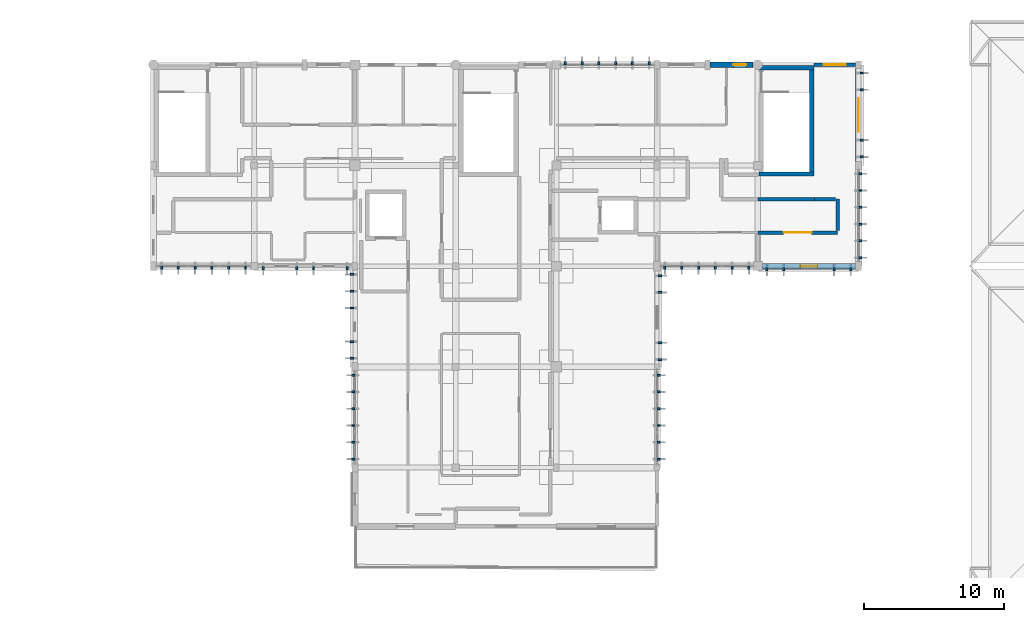
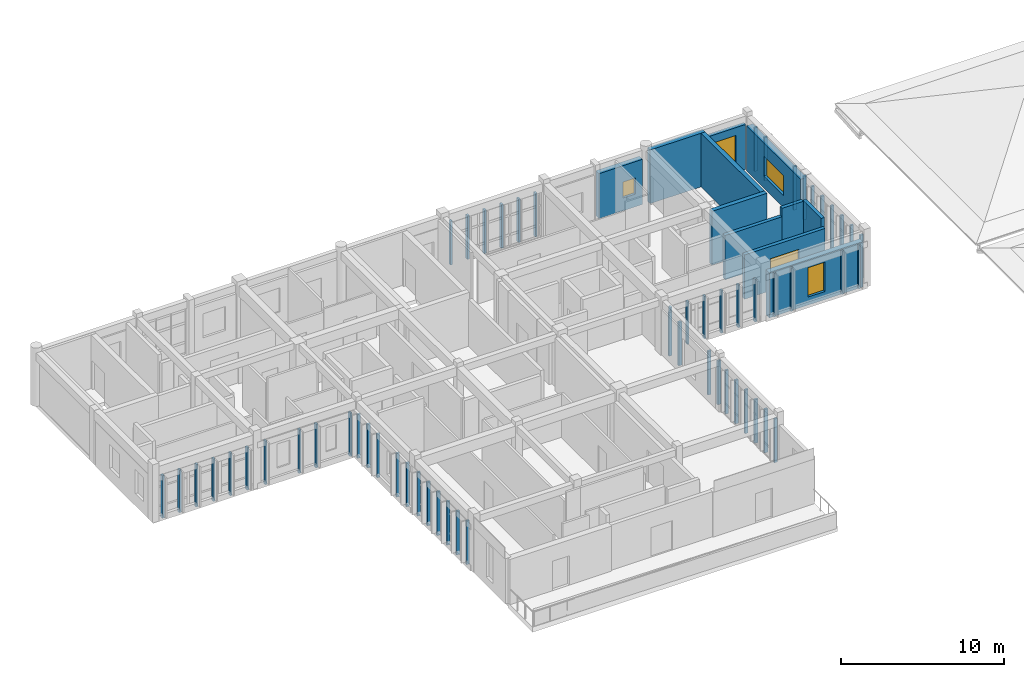
# One storey, part 17 of 19: 57 discrete accessories, 11 walls, 4 windows, 1 door, 5 openings.
"""IFC4 building model written with IfcOpenShell, lengths in metres."""

from ifc_helpers import new_model, si_unit, direction, frame, frame_2d, origin, origin_2d, place, context, subcontext, project, spatial, rectangle, extrude, material, layer, layer_set, type_object, element, fill, save


model = new_model("IFC4")

# Units and contexts
model_context = context("Model", 3, precision=1e-05, world=origin(), true_north=direction((0.0, 1.0)))
body_context = subcontext(model_context, "Body", "Model", "MODEL_VIEW")
ifc_project = project(units=[si_unit("LENGTHUNIT", "METRE"), si_unit("AREAUNIT", "SQUARE_METRE"), si_unit("VOLUMEUNIT", "CUBIC_METRE"), si_unit("PLANEANGLEUNIT", "RADIAN"), si_unit("MASSUNIT", "GRAM", prefix="KILO")], contexts=[model_context])

# Site, building, storey
site_placement = place(None, origin())
site = spatial("IfcSite", under=ifc_project, at=site_placement, CompositionType="ELEMENT")
building_placement = place(site_placement, origin())
building = spatial("IfcBuilding", under=site, at=building_placement, Name="Steenspoor Specialist Clinic", CompositionType="ELEMENT")
storey_placement = place(building_placement, frame((0.0, 0.0, 21.60009765625)))
storey = spatial("IfcBuildingStorey", under=building, at=storey_placement, Name="L05", CompositionType="ELEMENT", Elevation=21.60009765625)

# Wall, opening, window
ifc_material_1 = material(Name="Extruded clay brick masonry", Category="masonry")
ifc_layer_1 = layer(ifc_material_1, 0.3798828125)
ifc_layer_set_1 = layer_set([ifc_layer_1], Name="Extruded clay brick masonry")
wall_type_1 = type_object("IfcWallType", Name="W-BRICK-380", PredefinedType="USERDEFINED", material=ifc_layer_set_1)
wall_1_placement = place(storey_placement, frame((99.3701171875, 108.35009765625, 0.0), z_axis=(0.0, 0.0, 1.0), x_axis=(1.0, 0.0, 0.0)))
wall_1 = element("IfcWall", 1, at=wall_1_placement, inside=storey, type_object=wall_type_1, Name="Exterior Brick Wall EW-V4-L05-0225", ObjectType="CAVITY VENEER", PredefinedType="USERDEFINED", context=body_context, shape_type="SweptSolid", body=[
    extrude(rectangle(XDim=3.079833984375, YDim=0.3798828125, at=frame_2d((1.5400390625, 0.0))), origin(), (0.0, 0.0, 1.0), 3.3798828125),
])
opening_1_placement = place(wall_1_placement, frame((1.68994140625, 0.0, 0.949951171875)))
opening_1 = element("IfcOpeningElement", 2, at=opening_1_placement, cuts=wall_1, Name="Opening WN-21", PredefinedType="OPENING", context=body_context, shape_type="SweptSolid", body=[
    extrude(rectangle(XDim=0.89990234375, YDim=1.199951171875, at=frame_2d((0.449951171875, 0.60009765625))), frame((0.0, 0.199951171875, 0.0), z_axis=(0.0, -1.0, 0.0), x_axis=(1.0, 0.0, 0.0)), (0.0, 0.0, 1.0), 0.39990234375),
])
ifc_material_2 = material(Name="Thermally broken aluminium and low-emissivity glass", Category="aluminium")
window_type_1 = type_object("IfcWindowType", Name="WN-EXT-090X120", PartitioningType="SINGLE_PANEL", PredefinedType="WINDOW", material=ifc_material_2)
window_1_placement = place(opening_1_placement, origin())
window_1 = element("IfcWindow", 3, at=window_1_placement, inside=storey, type_object=window_type_1, Name="Window 0247", OverallHeight=1.199951171875, OverallWidth=0.89990234375, PartitioningType="SINGLE_PANEL", PredefinedType="WINDOW", context=body_context, shape_type="SweptSolid", body=[
    extrude(rectangle(XDim=0.89990234375, YDim=1.199951171875, at=frame_2d((0.449951171875, 0.60009765625))), frame((0.0, 0.030029296875, 0.0), z_axis=(0.0, -1.0, 0.0), x_axis=(1.0, 0.0, 0.0)), (0.0, 0.0, 1.0), 0.06005859375),
])
fill(opening_1, window_1)

ifc_layer_2 = layer(ifc_material_1, 0.409912109375)
ifc_layer_set_2 = layer_set([ifc_layer_2], Name="Extruded clay brick masonry")
wall_type_2 = type_object("IfcWallType", Name="W-BRICK-410", PredefinedType="USERDEFINED", material=ifc_layer_set_2)
wall_2_placement = place(storey_placement, frame((109.77490234375, 93.949951171875, 0.0), z_axis=(0.0, 0.0, 1.0), x_axis=(-1.0, 0.0, 0.0)))
wall_2 = element("IfcWall", 4, at=wall_2_placement, inside=storey, type_object=wall_type_2, Name="Exterior Brick Wall EW-V4-L05-0228", ObjectType="CAVITY VENEER", PredefinedType="USERDEFINED", context=body_context, shape_type="SweptSolid", body=[
    extrude(rectangle(XDim=6.64990234375, YDim=0.409912109375, at=frame_2d((3.324951171875, 0.0))), origin(), (0.0, 0.0, 1.0), 3.369873046875),
])
opening_2_placement = place(wall_2_placement, frame((2.72509765625, 0.0, 0.60009765625)))
opening_2 = element("IfcOpeningElement", 5, at=opening_2_placement, cuts=wall_2, Name="Opening WN-15", PredefinedType="OPENING", context=body_context, shape_type="SweptSolid", body=[
    extrude(rectangle(XDim=1.199951171875, YDim=2.199951171875, at=frame_2d((0.60009765625, 1.10009765625))), frame((0.0, 0.21484375, 0.0), z_axis=(0.0, -1.0, 0.0), x_axis=(1.0, 0.0, 0.0)), (0.0, 0.0, 1.0), 0.429931640625),
])
window_type_2 = type_object("IfcWindowType", Name="WN-EXT-120X220", PartitioningType="SINGLE_PANEL", PredefinedType="WINDOW", material=ifc_material_2)
window_2_placement = place(opening_2_placement, origin())
window_2 = element("IfcWindow", 6, at=window_2_placement, inside=storey, type_object=window_type_2, Name="Window 0250", OverallHeight=2.199951171875, OverallWidth=1.199951171875, PartitioningType="SINGLE_PANEL", PredefinedType="WINDOW", context=body_context, shape_type="SweptSolid", body=[
    extrude(rectangle(XDim=1.199951171875, YDim=2.199951171875, at=frame_2d((0.60009765625, 1.10009765625))), frame((0.0, 0.030029296875, 0.0), z_axis=(0.0, -1.0, 0.0), x_axis=(1.0, 0.0, 0.0)), (0.0, 0.0, 1.0), 0.06005859375),
])
fill(opening_2, window_2)

ifc_layer_3 = layer(ifc_material_1, 0.43994140625)
ifc_layer_set_3 = layer_set([ifc_layer_3], Name="Extruded clay brick masonry")
wall_type_3 = type_object("IfcWallType", Name="W-BRICK-440", PredefinedType="USERDEFINED", material=ifc_layer_set_3)
wall_3_placement = place(storey_placement, frame((110.0, 108.074951171875, 0.0), z_axis=(0.0, 0.0, 1.0), x_axis=(0.0, -1.0, 0.0)))
wall_3 = element("IfcWall", 7, at=wall_3_placement, inside=storey, type_object=wall_type_3, Name="Exterior Brick Wall EW-V4-L05-0227", ObjectType="CAVITY VENEER", PredefinedType="USERDEFINED", context=body_context, shape_type="SweptSolid", body=[
    extrude(rectangle(XDim=6.625, YDim=0.43994140625, at=frame_2d((3.3125, 0.0))), origin(), (0.0, 0.0, 1.0), 3.3798828125),
])
opening_3_placement = place(wall_3_placement, frame((2.112548828125, 0.0, 0.89990234375)))
opening_3 = element("IfcOpeningElement", 8, at=opening_3_placement, cuts=wall_3, Name="Opening WN-14", PredefinedType="OPENING", context=body_context, shape_type="SweptSolid", body=[
    extrude(rectangle(XDim=2.39990234375, YDim=1.5, at=frame_2d((1.199951171875, 0.75))), frame((0.0, 0.22998046875, 0.0), z_axis=(0.0, -1.0, 0.0), x_axis=(1.0, 0.0, 0.0)), (0.0, 0.0, 1.0), 0.4599609375),
])
window_type_3 = type_object("IfcWindowType", Name="WN-EXT-240X150", PartitioningType="SINGLE_PANEL", PredefinedType="WINDOW", material=ifc_material_2)
window_3_placement = place(opening_3_placement, origin())
window_3 = element("IfcWindow", 9, at=window_3_placement, inside=storey, type_object=window_type_3, Name="Window 0249", OverallHeight=1.5, OverallWidth=2.39990234375, PartitioningType="SINGLE_PANEL", PredefinedType="WINDOW", context=body_context, shape_type="SweptSolid", body=[
    extrude(rectangle(XDim=2.39990234375, YDim=1.5, at=frame_2d((1.199951171875, 0.75))), frame((0.0, 0.030029296875, 0.0), z_axis=(0.0, -1.0, 0.0), x_axis=(1.0, 0.0, 0.0)), (0.0, 0.0, 1.0), 0.06005859375),
])
fill(opening_3, window_3)

# Wall
ifc_material_3 = material(Name="Concrete C40/50", Category="concrete")
ifc_layer_4 = layer(ifc_material_3, 0.330078125)
ifc_layer_set_4 = layer_set([ifc_layer_4], Name="Concrete C40/50")
wall_type_4 = type_object("IfcWallType", Name="W-ESW-330", PredefinedType="SHEAR", material=ifc_layer_set_4)
wall_4_placement = place(storey_placement, frame((102.89990234375, 108.14990234375, 0.0), z_axis=(0.0, 0.0, 1.0), x_axis=(1.0, 0.0, 0.0)))
element("IfcWall", 10, at=wall_4_placement, inside=storey, type_object=wall_type_4, Name="Core Shear Wall SW-ST-V4B-L05-N", PredefinedType="SHEAR", context=body_context, shape_type="SweptSolid", body=[
    extrude(rectangle(XDim=3.900146484375, YDim=0.330078125, at=frame_2d((1.9501953125, 0.0))), origin(), (0.0, 0.0, 1.0), 4.02001953125),
])

# Wall, opening, window
ifc_layer_5 = layer(ifc_material_1, 0.260009765625)
ifc_layer_set_5 = layer_set([ifc_layer_5], Name="Extruded clay brick masonry")
wall_type_5 = type_object("IfcWallType", Name="W-SCREEN-260", PredefinedType="SOLIDWALL", material=ifc_layer_set_5)
wall_5_placement = place(storey_placement, frame((106.800048828125, 108.35009765625, 0.0), z_axis=(0.0, 0.0, 1.0), x_axis=(1.0, 0.0, 0.0)))
wall_5 = element("IfcWall", 11, at=wall_5_placement, inside=storey, type_object=wall_type_5, Name="Exterior Brick Wall EW-V4-L05-0226", PredefinedType="SOLIDWALL", context=body_context, shape_type="SweptSolid", body=[
    extrude(rectangle(XDim=3.0, YDim=0.260009765625, at=frame_2d((1.5, 0.0))), origin(), (0.0, 0.0, 1.0), 3.3798828125),
])
opening_4_placement = place(wall_5_placement, frame((0.699951171875, 0.0, 0.60009765625)))
opening_4 = element("IfcOpeningElement", 12, at=opening_4_placement, cuts=wall_5, Name="Opening WN-16", PredefinedType="OPENING", context=body_context, shape_type="SweptSolid", body=[
    extrude(rectangle(XDim=1.60009765625, YDim=2.199951171875, at=frame_2d((0.800048828125, 1.10009765625))), frame((0.0, 0.14013671875, 0.0), z_axis=(0.0, -1.0, 0.0), x_axis=(1.0, 0.0, 0.0)), (0.0, 0.0, 1.0), 0.280029296875),
])
window_type_4 = type_object("IfcWindowType", Name="WN-EXT-160X220", PartitioningType="SINGLE_PANEL", PredefinedType="WINDOW", material=ifc_material_2)
window_4_placement = place(opening_4_placement, origin())
window_4 = element("IfcWindow", 13, at=window_4_placement, inside=storey, type_object=window_type_4, Name="Window 0248", OverallHeight=2.199951171875, OverallWidth=1.60009765625, PartitioningType="SINGLE_PANEL", PredefinedType="WINDOW", context=body_context, shape_type="SweptSolid", body=[
    extrude(rectangle(XDim=1.60009765625, YDim=2.199951171875, at=frame_2d((0.800048828125, 1.10009765625))), frame((0.0, 0.030029296875, 0.0), z_axis=(0.0, -1.0, 0.0), x_axis=(1.0, 0.0, 0.0)), (0.0, 0.0, 1.0), 0.06005859375),
])
fill(opening_4, window_4)

# Wall, opening, door
ifc_material_4 = material(Name="Fire-rated clay blockwork masonry", Category="masonry")
ifc_layer_6 = layer(ifc_material_4, 0.25)
ifc_layer_set_6 = layer_set([ifc_layer_6], Name="Fire-rated clay blockwork masonry")
wall_type_6 = type_object("IfcWallType", Name="W-SHAFT-250", PredefinedType="PARTITIONING", material=ifc_layer_set_6)
wall_6_placement = place(storey_placement, frame((102.800048828125, 96.35009765625, 0.0), z_axis=(0.0, 0.0, 1.0), x_axis=(1.0, 0.0, 0.0)))
wall_6 = element("IfcWall", 14, at=wall_6_placement, inside=storey, type_object=wall_type_6, Name="Interior Partition IW-V4-L05-1955", PredefinedType="PARTITIONING", context=body_context, shape_type="SweptSolid", body=[
    extrude(rectangle(XDim=5.699951171875, YDim=0.25, at=frame_2d((2.85009765625, 0.0))), origin(), (0.0, 0.0, 1.0), 3.31982421875),
])
opening_5_placement = place(wall_6_placement, frame((1.85009765625, 0.0, 0.0)))
opening_5 = element("IfcOpeningElement", 15, at=opening_5_placement, cuts=wall_6, Name="Opening D0314", PredefinedType="OPENING", context=body_context, shape_type="SweptSolid", body=[
    extrude(rectangle(XDim=2.0, YDim=2.39990234375, at=frame_2d((1.0, 1.199951171875))), frame((0.0, 0.135009765625, 0.0), z_axis=(0.0, -1.0, 0.0), x_axis=(1.0, 0.0, 0.0)), (0.0, 0.0, 1.0), 0.27001953125),
])
ifc_material_5 = material(Name="Fire-rated louvred steel plant door", Category="steel")
door_type = type_object("IfcDoorType", Name="DT-PLANT-200X240", OperationType="NOTDEFINED", PredefinedType="DOOR", material=ifc_material_5)
door_placement = place(opening_5_placement, origin())
door = element("IfcDoor", 16, at=door_placement, inside=storey, type_object=door_type, Name="Clinical Door D0314", OperationType="DOUBLE_DOOR_SINGLE_SWING", OverallHeight=2.39990234375, OverallWidth=2.0, PredefinedType="DOOR", context=body_context, shape_type="SweptSolid", body=[
    extrude(rectangle(XDim=2.0, YDim=2.39990234375, at=frame_2d((1.0, 1.199951171875))), frame((0.0, 0.02490234375, 0.0), z_axis=(0.0, -1.0, 0.0), x_axis=(1.0, 0.0, 0.0)), (0.0, 0.0, 1.0), 0.050048828125),
])
fill(opening_5, door)

# Walls
wall_7_placement = place(storey_placement, frame((108.5, 96.489990234375, 0.0), z_axis=(0.0, 0.0, 1.0), x_axis=(0.0, 1.0, 0.0)))
element("IfcWall", 17, at=wall_7_placement, inside=storey, type_object=wall_type_6, Name="Interior Partition IW-V4-L05-1956", PredefinedType="PARTITIONING", context=body_context, shape_type="SweptSolid", body=[
    extrude(rectangle(XDim=2.260009765625, YDim=0.25, at=frame_2d((1.1298828125, 0.0))), origin(), (0.0, 0.0, 1.0), 3.949951171875),
])
wall_8_placement = place(storey_placement, frame((106.85009765625, 98.75, 0.0), z_axis=(0.0, 0.0, 1.0), x_axis=(1.0, 0.0, 0.0)))
element("IfcWall", 18, at=wall_8_placement, inside=storey, type_object=wall_type_6, Name="Interior Partition IW-V4-L05-1957", PredefinedType="PARTITIONING", context=body_context, shape_type="SweptSolid", body=[
    extrude(rectangle(XDim=1.510009765625, YDim=0.25, at=frame_2d((0.7548828125, 0.0))), origin(), (0.0, 0.0, 1.0), 3.949951171875),
])
wall_9_placement = place(storey_placement, frame((102.800048828125, 98.75, 0.0), z_axis=(0.0, 0.0, 1.0), x_axis=(1.0, 0.0, 0.0)))
element("IfcWall", 19, at=wall_9_placement, inside=storey, type_object=wall_type_6, Name="Interior Partition IW-V4-L05-1958", PredefinedType="PARTITIONING", context=body_context, shape_type="SweptSolid", body=[
    extrude(rectangle(XDim=4.034912109375, YDim=0.25, at=frame_2d((2.017578125, 0.0))), origin(), (0.0, 0.0, 1.0), 3.31982421875),
])
ifc_layer_7 = layer(ifc_material_3, 0.300048828125)
ifc_layer_set_7 = layer_set([ifc_layer_7], Name="Concrete C40/50")
wall_type_7 = type_object("IfcWallType", Name="W-SW-300", PredefinedType="SHEAR", material=ifc_layer_set_7)
wall_10_placement = place(storey_placement, frame((102.89990234375, 100.550048828125, 0.0), z_axis=(0.0, 0.0, 1.0), x_axis=(1.0, 0.0, 0.0)))
element("IfcWall", 20, at=wall_10_placement, inside=storey, type_object=wall_type_7, Name="Core Shear Wall SW-ST-V4B-L05-S", PredefinedType="SHEAR", context=body_context, shape_type="SweptSolid", body=[
    extrude(rectangle(XDim=3.900146484375, YDim=0.300048828125, at=frame_2d((1.9501953125, 0.0))), origin(), (0.0, 0.0, 1.0), 4.02001953125),
])
wall_11_placement = place(storey_placement, frame((106.64990234375, 100.699951171875, 0.0), z_axis=(0.0, 0.0, 1.0), x_axis=(0.0, 1.0, 0.0)))
element("IfcWall", 21, at=wall_11_placement, inside=storey, type_object=wall_type_7, Name="Core Shear Wall SW-ST-V4B-L05-E", PredefinedType="SHEAR", context=body_context, shape_type="SweptSolid", body=[
    extrude(rectangle(XDim=7.300048828125, YDim=0.300048828125, at=frame_2d((3.64990234375, 0.0))), origin(), (0.0, 0.0, 1.0), 4.02001953125),
])

# Discrete accessories
ifc_material_6 = material(Name="Galvanised steel mounting bracket", Category="steel")
discrete_accessory_type = type_object("IfcDiscreteAccessoryType", Name="ACC-BRACKET-FIN", PredefinedType="BRACKET", material=ifc_material_6)
for number, where, z_axis, x_axis, name in (
    (22, (73.889892578125, 80.16259765625, 0.0498046875), (0.0, 0.0, 1.0), (-1.0, 0.0, 0.0), "Timber Screen Bracket 101"),
    (23, (73.889892578125, 81.362548828125, 0.0498046875), (0.0, 0.0, 1.0), (-1.0, 0.0, 0.0), "Timber Screen Bracket 102"),
    (24, (73.889892578125, 82.5625, 0.0498046875), (0.0, 0.0, 1.0), (-1.0, 0.0, 0.0), "Timber Screen Bracket 103"),
    (25, (73.889892578125, 83.762451171875, 0.0498046875), (0.0, 0.0, 1.0), (-1.0, 0.0, 0.0), "Timber Screen Bracket 104"),
    (26, (73.889892578125, 84.96240234375, 0.0498046875), (0.0, 0.0, 1.0), (-1.0, 0.0, 0.0), "Timber Screen Bracket 105"),
    (27, (73.889892578125, 86.16259765625, 0.0498046875), (0.0, 0.0, 1.0), (-1.0, 0.0, 0.0), "Timber Screen Bracket 106"),
    (28, (73.7900390625, 87.362548828125, 0.0498046875), (0.0, 0.0, 1.0), (-1.0, 0.0, 0.0), "Timber Screen Bracket 109"),
    (29, (73.7900390625, 88.5625, 0.0498046875), (0.0, 0.0, 1.0), (-1.0, 0.0, 0.0), "Timber Screen Bracket 110"),
    (30, (73.7900390625, 90.96240234375, 0.0498046875), (0.0, 0.0, 1.0), (-1.0, 0.0, 0.0), "Timber Screen Bracket 111"),
    (31, (73.7900390625, 92.16259765625, 0.0498046875), (0.0, 0.0, 1.0), (-1.0, 0.0, 0.0), "Timber Screen Bracket 112"),
    (32, (73.7900390625, 93.362548828125, 0.0498046875), (0.0, 0.0, 1.0), (-1.0, 0.0, 0.0), "Timber Screen Bracket 113"),
):
    element("IfcDiscreteAccessory", number, at=place(storey_placement, frame(where, z_axis=z_axis, x_axis=x_axis)), inside=storey, type_object=discrete_accessory_type, Name=name, PredefinedType="BRACKET", context=body_context, shape_type="SweptSolid", body=[
        extrude(rectangle(XDim=0.219970703125, YDim=0.139892578125, at=origin_2d()), origin(), (0.0, 0.0, 1.0), 3.27001953125),
    ])
for number, where, z_axis, x_axis, name in (
    (33, (73.4375, 93.800048828125, 0.0498046875), (0.0, 0.0, 1.0), (0.0, -1.0, 0.0), "Timber Screen Bracket 116"),
    (34, (71.03759765625, 93.800048828125, 0.0498046875), (0.0, 0.0, 1.0), (0.0, -1.0, 0.0), "Timber Screen Bracket 117"),
    (35, (69.83740234375, 93.800048828125, 0.0498046875), (0.0, 0.0, 1.0), (0.0, -1.0, 0.0), "Timber Screen Bracket 118"),
    (36, (67.4375, 93.800048828125, 0.0498046875), (0.0, 0.0, 1.0), (0.0, -1.0, 0.0), "Timber Screen Bracket 119"),
):
    element("IfcDiscreteAccessory", number, at=place(storey_placement, frame(where, z_axis=z_axis, x_axis=x_axis)), inside=storey, type_object=discrete_accessory_type, Name=name, PredefinedType="BRACKET", context=body_context, shape_type="SweptSolid", body=[
        extrude(rectangle(XDim=0.219970703125, YDim=0.139892578125, at=origin_2d()), origin(), (0.0, 0.0, 1.0), 3.260009765625),
    ])
for number, where, z_axis, x_axis, name in (
    (37, (66.175048828125, 93.840087890625, 0.050048828125), (0.0, 0.0, 1.0), (0.0, -1.0, 0.0), "Timber Screen Bracket 122"),
    (38, (64.97509765625, 93.840087890625, 0.050048828125), (0.0, 0.0, 1.0), (0.0, -1.0, 0.0), "Timber Screen Bracket 123"),
    (39, (63.77490234375, 93.840087890625, 0.050048828125), (0.0, 0.0, 1.0), (0.0, -1.0, 0.0), "Timber Screen Bracket 124"),
    (40, (62.574951171875, 93.840087890625, 0.050048828125), (0.0, 0.0, 1.0), (0.0, -1.0, 0.0), "Timber Screen Bracket 125"),
    (41, (61.375, 93.840087890625, 0.050048828125), (0.0, 0.0, 1.0), (0.0, -1.0, 0.0), "Timber Screen Bracket 126"),
    (42, (60.175048828125, 93.840087890625, 0.050048828125), (0.0, 0.0, 1.0), (0.0, -1.0, 0.0), "Timber Screen Bracket 127"),
):
    element("IfcDiscreteAccessory", number, at=place(storey_placement, frame(where, z_axis=z_axis, x_axis=x_axis)), inside=storey, type_object=discrete_accessory_type, Name=name, PredefinedType="BRACKET", context=body_context, shape_type="SweptSolid", body=[
        extrude(rectangle(XDim=0.219970703125, YDim=0.139892578125, at=origin_2d()), origin(), (0.0, 0.0, 1.0), 3.18994140625),
    ])
for number, where, z_axis, x_axis, name in (
    (43, (89.03759765625, 108.4599609375, 0.0498046875), (0.0, 0.0, 1.0), (0.0, 1.0, 0.0), "Timber Screen Bracket 130"),
    (44, (90.237548828125, 108.4599609375, 0.0498046875), (0.0, 0.0, 1.0), (0.0, 1.0, 0.0), "Timber Screen Bracket 131"),
    (45, (91.4375, 108.4599609375, 0.0498046875), (0.0, 0.0, 1.0), (0.0, 1.0, 0.0), "Timber Screen Bracket 132"),
    (46, (92.637451171875, 108.4599609375, 0.0498046875), (0.0, 0.0, 1.0), (0.0, 1.0, 0.0), "Timber Screen Bracket 133"),
    (47, (93.83740234375, 108.4599609375, 0.0498046875), (0.0, 0.0, 1.0), (0.0, 1.0, 0.0), "Timber Screen Bracket 134"),
    (48, (95.03759765625, 108.4599609375, 0.0498046875), (0.0, 0.0, 1.0), (0.0, 1.0, 0.0), "Timber Screen Bracket 135"),
    (49, (110.239990234375, 107.762451171875, 0.0498046875), (0.0, 0.0, 1.0), (1.0, 0.0, 0.0), "Timber Screen Bracket 138"),
    (50, (110.239990234375, 106.5625, 0.0498046875), (0.0, 0.0, 1.0), (1.0, 0.0, 0.0), "Timber Screen Bracket 139"),
    (51, (110.239990234375, 102.96240234375, 0.0498046875), (0.0, 0.0, 1.0), (1.0, 0.0, 0.0), "Timber Screen Bracket 140"),
    (52, (110.239990234375, 101.762451171875, 0.0498046875), (0.0, 0.0, 1.0), (1.0, 0.0, 0.0), "Timber Screen Bracket 141"),
    (53, (110.110107421875, 100.5625, 0.0498046875), (0.0, 0.0, 1.0), (1.0, 0.0, 0.0), "Timber Screen Bracket 144"),
    (54, (110.110107421875, 99.362548828125, 0.0498046875), (0.0, 0.0, 1.0), (1.0, 0.0, 0.0), "Timber Screen Bracket 145"),
    (55, (110.110107421875, 98.16259765625, 0.0498046875), (0.0, 0.0, 1.0), (1.0, 0.0, 0.0), "Timber Screen Bracket 146"),
    (56, (110.110107421875, 96.96240234375, 0.0498046875), (0.0, 0.0, 1.0), (1.0, 0.0, 0.0), "Timber Screen Bracket 147"),
    (57, (110.110107421875, 95.762451171875, 0.0498046875), (0.0, 0.0, 1.0), (1.0, 0.0, 0.0), "Timber Screen Bracket 148"),
    (58, (110.110107421875, 94.5625, 0.0498046875), (0.0, 0.0, 1.0), (1.0, 0.0, 0.0), "Timber Screen Bracket 149"),
):
    element("IfcDiscreteAccessory", number, at=place(storey_placement, frame(where, z_axis=z_axis, x_axis=x_axis)), inside=storey, type_object=discrete_accessory_type, Name=name, PredefinedType="BRACKET", context=body_context, shape_type="SweptSolid", body=[
        extrude(rectangle(XDim=0.219970703125, YDim=0.139892578125, at=origin_2d()), origin(), (0.0, 0.0, 1.0), 3.27001953125),
    ])
for number, where, z_axis, x_axis, name in (
    (59, (109.449951171875, 93.72509765625, 0.0498046875), (0.0, 0.0, 1.0), (0.0, -1.0, 0.0), "Timber Screen Bracket 152"),
    (60, (108.25, 93.72509765625, 0.0498046875), (0.0, 0.0, 1.0), (0.0, -1.0, 0.0), "Timber Screen Bracket 153"),
    (61, (104.64990234375, 93.72509765625, 0.0498046875), (0.0, 0.0, 1.0), (0.0, -1.0, 0.0), "Timber Screen Bracket 154"),
    (62, (103.449951171875, 93.72509765625, 0.0498046875), (0.0, 0.0, 1.0), (0.0, -1.0, 0.0), "Timber Screen Bracket 155"),
):
    element("IfcDiscreteAccessory", number, at=place(storey_placement, frame(where, z_axis=z_axis, x_axis=x_axis)), inside=storey, type_object=discrete_accessory_type, Name=name, PredefinedType="BRACKET", context=body_context, shape_type="SweptSolid", body=[
        extrude(rectangle(XDim=0.219970703125, YDim=0.139892578125, at=origin_2d()), origin(), (0.0, 0.0, 1.0), 3.260009765625),
    ])
for number, where, z_axis, x_axis, name in (
    (63, (102.16259765625, 93.840087890625, 0.050048828125), (0.0, 0.0, 1.0), (0.0, -1.0, 0.0), "Timber Screen Bracket 158"),
    (64, (100.96240234375, 93.840087890625, 0.050048828125), (0.0, 0.0, 1.0), (0.0, -1.0, 0.0), "Timber Screen Bracket 159"),
    (65, (99.762451171875, 93.840087890625, 0.050048828125), (0.0, 0.0, 1.0), (0.0, -1.0, 0.0), "Timber Screen Bracket 160"),
    (66, (98.5625, 93.840087890625, 0.050048828125), (0.0, 0.0, 1.0), (0.0, -1.0, 0.0), "Timber Screen Bracket 161"),
    (67, (97.362548828125, 93.840087890625, 0.050048828125), (0.0, 0.0, 1.0), (0.0, -1.0, 0.0), "Timber Screen Bracket 162"),
    (68, (96.16259765625, 93.840087890625, 0.050048828125), (0.0, 0.0, 1.0), (0.0, -1.0, 0.0), "Timber Screen Bracket 163"),
):
    element("IfcDiscreteAccessory", number, at=place(storey_placement, frame(where, z_axis=z_axis, x_axis=x_axis)), inside=storey, type_object=discrete_accessory_type, Name=name, PredefinedType="BRACKET", context=body_context, shape_type="SweptSolid", body=[
        extrude(rectangle(XDim=0.219970703125, YDim=0.139892578125, at=origin_2d()), origin(), (0.0, 0.0, 1.0), 3.18994140625),
    ])
for number, where, z_axis, x_axis, name in (
    (69, (95.81005859375, 93.27490234375, 0.0498046875), (0.0, 0.0, 1.0), (1.0, 0.0, 0.0), "Timber Screen Bracket 166"),
    (70, (95.81005859375, 92.074951171875, 0.0498046875), (0.0, 0.0, 1.0), (1.0, 0.0, 0.0), "Timber Screen Bracket 167"),
    (71, (95.81005859375, 88.47509765625, 0.0498046875), (0.0, 0.0, 1.0), (1.0, 0.0, 0.0), "Timber Screen Bracket 168"),
    (72, (95.81005859375, 87.27490234375, 0.0498046875), (0.0, 0.0, 1.0), (1.0, 0.0, 0.0), "Timber Screen Bracket 169"),
    (73, (95.7099609375, 86.16259765625, 0.0498046875), (0.0, 0.0, 1.0), (1.0, 0.0, 0.0), "Timber Screen Bracket 172"),
    (74, (95.7099609375, 84.96240234375, 0.0498046875), (0.0, 0.0, 1.0), (1.0, 0.0, 0.0), "Timber Screen Bracket 173"),
    (75, (95.7099609375, 83.762451171875, 0.0498046875), (0.0, 0.0, 1.0), (1.0, 0.0, 0.0), "Timber Screen Bracket 174"),
    (76, (95.7099609375, 82.5625, 0.0498046875), (0.0, 0.0, 1.0), (1.0, 0.0, 0.0), "Timber Screen Bracket 175"),
    (77, (95.7099609375, 81.362548828125, 0.0498046875), (0.0, 0.0, 1.0), (1.0, 0.0, 0.0), "Timber Screen Bracket 176"),
    (78, (95.7099609375, 80.16259765625, 0.0498046875), (0.0, 0.0, 1.0), (1.0, 0.0, 0.0), "Timber Screen Bracket 177"),
):
    element("IfcDiscreteAccessory", number, at=place(storey_placement, frame(where, z_axis=z_axis, x_axis=x_axis)), inside=storey, type_object=discrete_accessory_type, Name=name, PredefinedType="BRACKET", context=body_context, shape_type="SweptSolid", body=[
        extrude(rectangle(XDim=0.219970703125, YDim=0.139892578125, at=origin_2d()), origin(), (0.0, 0.0, 1.0), 3.27001953125),
    ])

save(model, "model.ifc")
